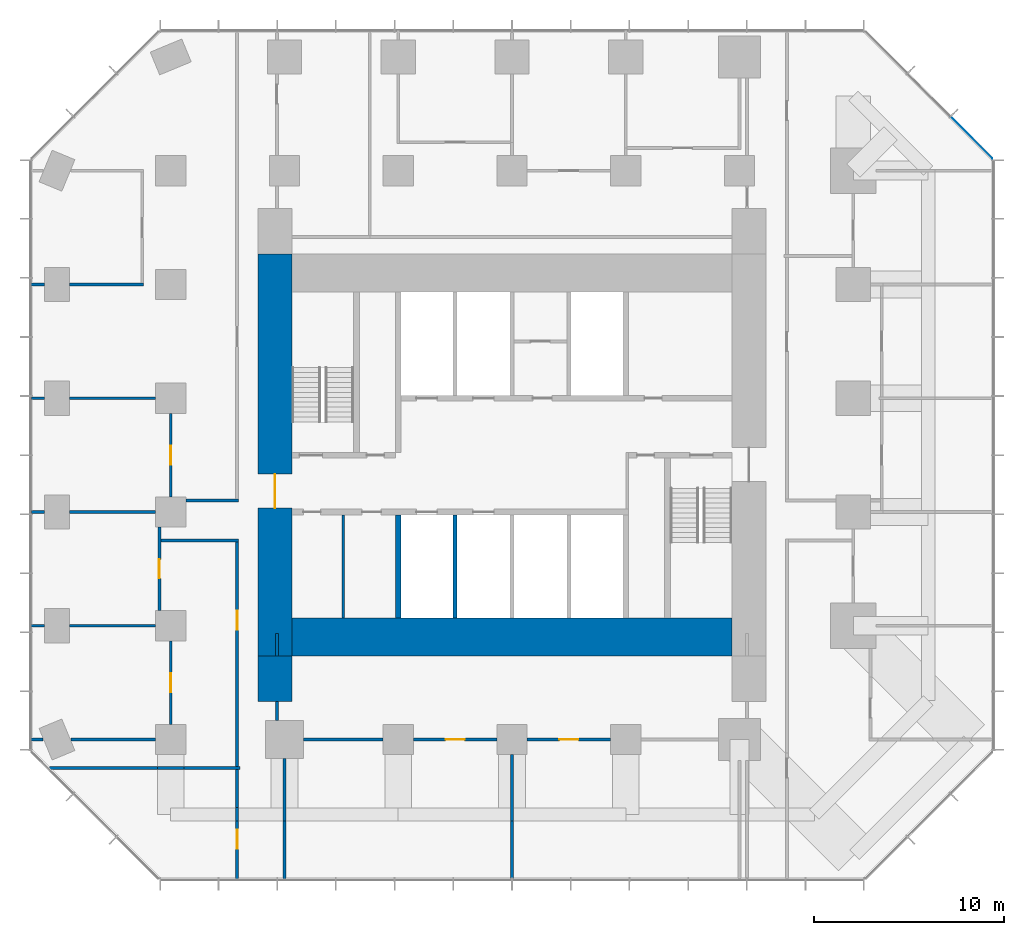
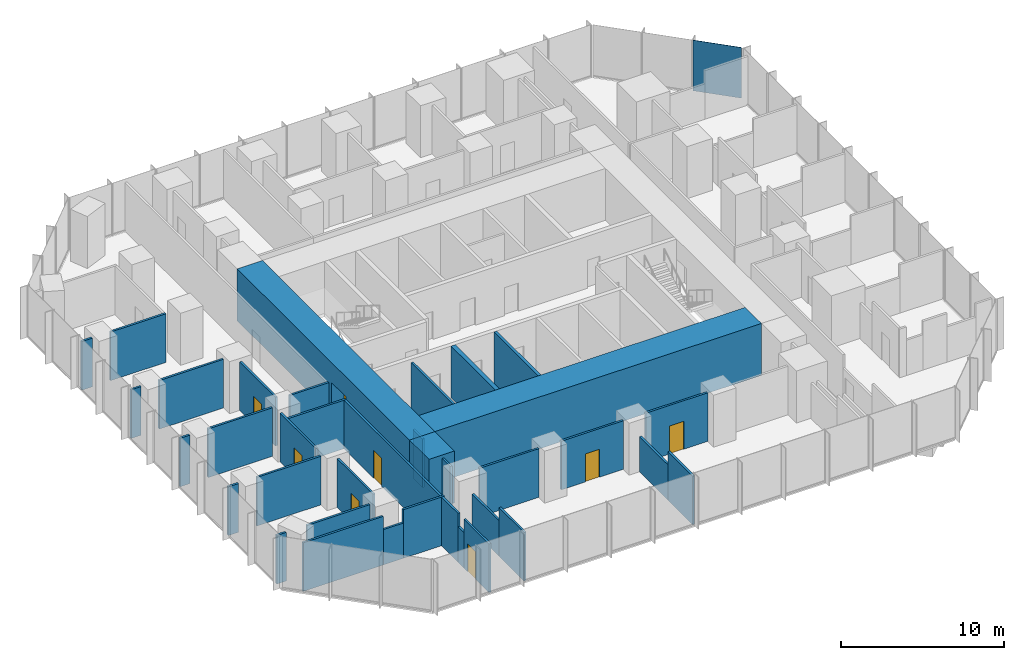
# One storey, part 8 of 12: 37 walls, 8 doors, 1 plate, 8 openings, 1 element without a shape of its own.
"""IFC4 building model written with IfcOpenShell, lengths in metres."""

from ifc_helpers import new_model, si_unit, direction, frame, frame_2d, origin, origin_2d, place, context, subcontext, project, spatial, rectangle, extrude, material, layer, layer_set, type_object, element, fill, aggregate, save


model = new_model("IFC4")

# Units and contexts
model_context = context("Model", 3, precision=1e-05, world=origin(), true_north=direction((0.0, 1.0)))
body_context = subcontext(model_context, "Body", "Model", "MODEL_VIEW")
ifc_project = project(units=[si_unit("LENGTHUNIT", "METRE"), si_unit("AREAUNIT", "SQUARE_METRE"), si_unit("VOLUMEUNIT", "CUBIC_METRE"), si_unit("PLANEANGLEUNIT", "RADIAN"), si_unit("MASSUNIT", "GRAM", prefix="KILO")], contexts=[model_context])

# Site, building, storey
site_placement = place(None, origin())
site = spatial("IfcSite", under=ifc_project, at=site_placement, CompositionType="ELEMENT")
building_placement = place(site_placement, origin())
building = spatial("IfcBuilding", under=site, at=building_placement, Name="Highveld Stack Headquarters", CompositionType="ELEMENT")
storey_placement = place(building_placement, frame((0.0, 0.0, 156.199951171875)))
storey = spatial("IfcBuildingStorey", under=building, at=storey_placement, Name="L38", CompositionType="ELEMENT", Elevation=156.199951171875)

# Curtain wall, plate
ifc_material_1 = material(Name="Aluminium bronze anodised", Category="aluminium")
ifc_layer_1 = layer(ifc_material_1, 0.199951171875)
ifc_layer_set_1 = layer_set([ifc_layer_1], Name="Aluminium bronze anodised")
curtain_wall_type = type_object("IfcCurtainWallType", Name="CW2 TOWER CHAMFER UNITISED CURTAIN WALL", PredefinedType="NOTDEFINED", material=ifc_layer_set_1)
curtain_wall_placement = place(storey_placement, origin())
curtain_wall = element("IfcCurtainWall", 1, at=curtain_wall_placement, inside=storey, type_object=curtain_wall_type, Name="Curtain wall CW2 L38 NE", PredefinedType="NOTDEFINED")
ifc_material_2 = material(Name="Glass bronze tinted double glazed unit", Category="glass")
ifc_layer_2 = layer(ifc_material_2, 0.028076171875)
ifc_layer_set_2 = layer_set([ifc_layer_2], Name="Glass bronze tinted double glazed unit")
plate_type = type_object("IfcPlateType", Name="CW2 PANEL BRONZE TINTED DOUBLE GLAZED UNIT", PredefinedType="CURTAIN_PANEL", material=ifc_layer_set_2)
plate_placement = place(storey_placement, frame((30.239501953125, 19.740478515625, 0.10009765625), z_axis=(0.0, 0.0, 1.0), x_axis=(-0.707106781187, 0.707106781187, 0.0)))
plate = element("IfcPlate", 2, at=plate_placement, type_object=plate_type, Name="CW2 panel L38 1.1", PredefinedType="CURTAIN_PANEL", context=body_context, shape_type="SweptSolid", body=[
    extrude(rectangle(XDim=3.08251953125, YDim=0.028076171875, at=origin_2d()), origin(), (0.0, 0.0, 1.0), 3.800048828125),
])
aggregate(curtain_wall, [plate])

# Wall, opening, door
ifc_material_3 = material(Name="Concrete C60/75", Category="concrete")
ifc_layer_3 = layer(ifc_material_3, 1.800048828125)
ifc_layer_set_3 = layer_set([ifc_layer_3], Name="Concrete C60/75")
wall_type_1 = type_object("IfcWallType", Name="CORE WALL 1800 C60/75", PredefinedType="SHEAR", material=ifc_layer_set_3)
wall_1_placement = place(storey_placement, frame((-6.5, -7.60009765625, 0.0), z_axis=(0.0, 0.0, 1.0), x_axis=(0.0, 1.0, 0.0)))
wall_1 = element("IfcWall", 3, at=wall_1_placement, inside=storey, type_object=wall_type_1, Name="Core wall W L38", PredefinedType="SHEAR", context=body_context, shape_type="SweptSolid", body=[
    extrude(rectangle(XDim=21.2001953125, YDim=1.800048828125, at=frame_2d((10.60009765625, 0.0))), origin(), (0.0, 0.0, 1.0), 3.900146484375),
])
opening_1_placement = place(wall_1_placement, frame((7.800048828125, 0.0, 0.0)))
opening_1 = element("IfcOpeningElement", 4, at=opening_1_placement, cuts=wall_1, Name="Opening L38-01", PredefinedType="OPENING", context=body_context, shape_type="SweptSolid", body=[
    extrude(rectangle(XDim=1.800048828125, YDim=2.39990234375, at=frame_2d((0.89990234375, 1.199951171875))), frame((0.0, 0.909912109375, 0.0), z_axis=(0.0, -1.0, 0.0), x_axis=(1.0, 0.0, 0.0)), (0.0, 0.0, 1.0), 1.820068359375),
])
ifc_material_4 = material(Name="Steel fire door", Category="steel")
door_type_1 = type_object("IfcDoorType", Name="LOBBY FIRE DOOR D4 1800x2400", OperationType="DOUBLE_DOOR_SINGLE_SWING", PredefinedType="DOOR", material=ifc_material_4)
door_1_placement = place(opening_1_placement, origin())
door_1 = element("IfcDoor", 5, at=door_1_placement, inside=storey, type_object=door_type_1, Name="Core west door L38", OperationType="DOUBLE_DOOR_SINGLE_SWING", OverallHeight=2.39990234375, OverallWidth=1.800048828125, PredefinedType="DOOR", context=body_context, shape_type="SweptSolid", body=[
    extrude(rectangle(XDim=1.800048828125, YDim=2.39990234375, at=frame_2d((0.89990234375, 1.199951171875))), frame((0.0, 0.02490234375, 0.0), z_axis=(0.0, -1.0, 0.0), x_axis=(1.0, 0.0, 0.0)), (0.0, 0.0, 1.0), 0.050048828125),
])
fill(opening_1, door_1)

# Walls
ifc_material_5 = material(Name="Concrete C60/75", Category="concrete")
ifc_layer_4 = layer(ifc_material_5, 2.0)
ifc_layer_set_4 = layer_set([ifc_layer_4], Name="Concrete C60/75")
wall_type_2 = type_object("IfcWallType", Name="CORE WALL 2000 C60/75", PredefinedType="SHEAR", material=ifc_layer_set_4)
wall_2_placement = place(storey_placement, frame((-5.60009765625, -6.60009765625, 0.0), z_axis=(0.0, 0.0, 1.0), x_axis=(1.0, 0.0, 0.0)))
element("IfcWall", 6, at=wall_2_placement, inside=storey, type_object=wall_type_2, Name="Core wall S L38", PredefinedType="SHEAR", context=body_context, shape_type="SweptSolid", body=[
    extrude(rectangle(XDim=23.2001953125, YDim=2.0, at=frame_2d((11.60009765625, 0.0))), origin(), (0.0, 0.0, 1.0), 3.900146484375),
])
ifc_material_6 = material(Name="Concrete C60/75", Category="concrete")
ifc_layer_5 = layer(ifc_material_6, 0.300048828125)
ifc_layer_set_5 = layer_set([ifc_layer_5], Name="Concrete C60/75")
wall_type_3 = type_object("IfcWallType", Name="CORE WALL 300 C60/75", PredefinedType="SHEAR", material=ifc_layer_set_5)
wall_3_placement = place(storey_placement, frame((0.0, -5.60009765625, 0.0), z_axis=(0.0, 0.0, 1.0), x_axis=(0.0, 1.0, 0.0)))
element("IfcWall", 7, at=wall_3_placement, inside=storey, type_object=wall_type_3, Name="Core wall I-X0S L38", PredefinedType="SHEAR", context=body_context, shape_type="SweptSolid", body=[
    extrude(rectangle(XDim=5.4501953125, YDim=0.300048828125, at=frame_2d((2.72509765625, 0.0))), origin(), (0.0, 0.0, 1.0), 3.900146484375),
])
ifc_material_7 = material(Name="Concrete C60/75", Category="concrete")
ifc_layer_6 = layer(ifc_material_7, 1.800048828125)
ifc_layer_set_6 = layer_set([ifc_layer_6], Name="Concrete C60/75")
wall_type_4 = type_object("IfcWallType", Name="CORE WING WALL 1800 C60/75", PredefinedType="SHEAR", material=ifc_layer_set_6)
wall_4_placement = place(storey_placement, frame((-6.5, -10.0, 0.0), z_axis=(0.0, 0.0, 1.0), x_axis=(0.0, 1.0, 0.0)))
element("IfcWall", 8, at=wall_4_placement, inside=storey, type_object=wall_type_4, Name="Core wing wall WS L38", PredefinedType="SHEAR", context=body_context, shape_type="SweptSolid", body=[
    extrude(rectangle(XDim=2.39990234375, YDim=1.800048828125, at=frame_2d((1.199951171875, 0.0))), origin(), (0.0, 0.0, 1.0), 3.900146484375),
])

# Wall, opening, door
ifc_material_8 = material(Name="Laminated glass in aluminium frame", Category="aluminium")
ifc_layer_7 = layer(ifc_material_8, 0.14990234375)
ifc_layer_set_7 = layer_set([ifc_layer_7], Name="Laminated glass in aluminium frame")
wall_type_5 = type_object("IfcWallType", Name="GLAZED PARTITION 150", PredefinedType="PARTITIONING", material=ifc_layer_set_7)
wall_5_placement = place(storey_placement, frame((-12.60009765625, -5.199951171875, 0.0), z_axis=(0.0, 0.0, 1.0), x_axis=(0.0, 1.0, 0.0)))
wall_5 = element("IfcWall", 9, at=wall_5_placement, inside=storey, type_object=wall_type_5, Name="Glazed partition Video conference room L38", PredefinedType="PARTITIONING", context=body_context, shape_type="SweptSolid", body=[
    extrude(rectangle(XDim=4.39990234375, YDim=0.14990234375, at=frame_2d((2.199951171875, 0.0))), origin(), (0.0, 0.0, 1.0), 3.650146484375),
])
opening_2_placement = place(wall_5_placement, frame((1.699951171875, 0.0, 0.0)))
opening_2 = element("IfcOpeningElement", 10, at=opening_2_placement, cuts=wall_5, Name="Opening L38-15", PredefinedType="OPENING", context=body_context, shape_type="SweptSolid", body=[
    extrude(rectangle(XDim=1.0, YDim=2.10009765625, at=frame_2d((0.5, 1.050048828125))), frame((0.0, 0.0849609375, 0.0), z_axis=(0.0, -1.0, 0.0), x_axis=(1.0, 0.0, 0.0)), (0.0, 0.0, 1.0), 0.169921875),
])
ifc_material_9 = material(Name="Timber door, oiled ash", Category="wood")
door_type_2 = type_object("IfcDoorType", Name="ROOM DOOR D6 1000x2100", OperationType="SINGLE_SWING_LEFT", PredefinedType="DOOR", material=ifc_material_9)
door_2_placement = place(opening_2_placement, origin())
door_2 = element("IfcDoor", 11, at=door_2_placement, inside=storey, type_object=door_type_2, Name="Video conference room door 1 L38", OperationType="SINGLE_SWING_LEFT", OverallHeight=2.10009765625, OverallWidth=1.0, PredefinedType="DOOR", context=body_context, shape_type="SweptSolid", body=[
    extrude(rectangle(XDim=1.0, YDim=2.10009765625, at=frame_2d((0.5, 1.050048828125))), frame((0.0, 0.02490234375, 0.0), z_axis=(0.0, -1.0, 0.0), x_axis=(1.0, 0.0, 0.0)), (0.0, 0.0, 1.0), 0.050048828125),
])
fill(opening_2, door_2)

wall_6_placement = place(storey_placement, frame((-12.0, -11.199951171875, 0.0), z_axis=(0.0, 0.0, 1.0), x_axis=(0.0, 1.0, 0.0)))
wall_6 = element("IfcWall", 12, at=wall_6_placement, inside=storey, type_object=wall_type_5, Name="Glazed partition Meeting room L38", PredefinedType="PARTITIONING", context=body_context, shape_type="SweptSolid", body=[
    extrude(rectangle(XDim=4.39990234375, YDim=0.14990234375, at=frame_2d((2.199951171875, 0.0))), origin(), (0.0, 0.0, 1.0), 3.650146484375),
])
opening_3_placement = place(wall_6_placement, frame((1.699951171875, 0.0, 0.0)))
opening_3 = element("IfcOpeningElement", 13, at=opening_3_placement, cuts=wall_6, Name="Opening L38-14", PredefinedType="OPENING", context=body_context, shape_type="SweptSolid", body=[
    extrude(rectangle(XDim=1.0, YDim=2.10009765625, at=frame_2d((0.5, 1.050048828125))), frame((0.0, 0.0849609375, 0.0), z_axis=(0.0, -1.0, 0.0), x_axis=(1.0, 0.0, 0.0)), (0.0, 0.0, 1.0), 0.169921875),
])
door_3_placement = place(opening_3_placement, origin())
door_3 = element("IfcDoor", 14, at=door_3_placement, inside=storey, type_object=door_type_2, Name="Meeting room door 1 L38", OperationType="SINGLE_SWING_RIGHT", OverallHeight=2.10009765625, OverallWidth=1.0, PredefinedType="DOOR", context=body_context, shape_type="SweptSolid", body=[
    extrude(rectangle(XDim=1.0, YDim=2.10009765625, at=frame_2d((0.5, 1.050048828125))), frame((0.0, 0.02490234375, 0.0), z_axis=(0.0, -1.0, 0.0), x_axis=(1.0, 0.0, 0.0)), (0.0, 0.0, 1.0), 0.050048828125),
])
fill(opening_3, door_3)

wall_7_placement = place(storey_placement, frame((-12.0, 0.800048828125, 0.0), z_axis=(0.0, 0.0, 1.0), x_axis=(0.0, 1.0, 0.0)))
wall_7 = element("IfcWall", 15, at=wall_7_placement, inside=storey, type_object=wall_type_5, Name="Glazed partition Meeting room L38", PredefinedType="PARTITIONING", context=body_context, shape_type="SweptSolid", body=[
    extrude(rectangle(XDim=4.39990234375, YDim=0.14990234375, at=frame_2d((2.199951171875, 0.0))), origin(), (0.0, 0.0, 1.0), 3.650146484375),
])
opening_4_placement = place(wall_7_placement, frame((1.699951171875, 0.0, 0.0)))
opening_4 = element("IfcOpeningElement", 16, at=opening_4_placement, cuts=wall_7, Name="Opening L38-16", PredefinedType="OPENING", context=body_context, shape_type="SweptSolid", body=[
    extrude(rectangle(XDim=1.0, YDim=2.10009765625, at=frame_2d((0.5, 1.050048828125))), frame((0.0, 0.0849609375, 0.0), z_axis=(0.0, -1.0, 0.0), x_axis=(1.0, 0.0, 0.0)), (0.0, 0.0, 1.0), 0.169921875),
])
door_4_placement = place(opening_4_placement, origin())
door_4 = element("IfcDoor", 17, at=door_4_placement, inside=storey, type_object=door_type_2, Name="Meeting room door 1 L38", OperationType="SINGLE_SWING_RIGHT", OverallHeight=2.10009765625, OverallWidth=1.0, PredefinedType="DOOR", context=body_context, shape_type="SweptSolid", body=[
    extrude(rectangle(XDim=1.0, YDim=2.10009765625, at=frame_2d((0.5, 1.050048828125))), frame((0.0, 0.02490234375, 0.0), z_axis=(0.0, -1.0, 0.0), x_axis=(1.0, 0.0, 0.0)), (0.0, 0.0, 1.0), 0.050048828125),
])
fill(opening_4, door_4)

# Walls
ifc_material_10 = material(Name="Concrete blockwork, fair-faced", Category="masonry")
ifc_layer_8 = layer(ifc_material_10, 0.199951171875)
ifc_layer_set_8 = layer_set([ifc_layer_8], Name="Concrete blockwork, fair-faced")
wall_type_6 = type_object("IfcWallType", Name="LIFT SHAFT ENCLOSURE WALL 200 BLOCKWORK", PredefinedType="SOLIDWALL", material=ifc_layer_set_8)
wall_8_placement = place(storey_placement, frame((3.0, -5.60009765625, 0.0), z_axis=(0.0, 0.0, 1.0), x_axis=(0.0, 1.0, 0.0)))
element("IfcWall", 18, at=wall_8_placement, inside=storey, type_object=wall_type_6, Name="Lift shaft wall L38", PredefinedType="SOLIDWALL", context=body_context, shape_type="SweptSolid", body=[
    extrude(rectangle(XDim=5.4501953125, YDim=0.199951171875, at=frame_2d((2.72509765625, 0.0))), origin(), (0.0, 0.0, 1.0), 3.900146484375),
])
ifc_material_11 = material(Name="Gypsum plasterboard on steel studs", Category="steel")
ifc_layer_9 = layer(ifc_material_11, 0.14990234375)
ifc_layer_set_9 = layer_set([ifc_layer_9], Name="Gypsum plasterboard on steel studs")
wall_type_7 = type_object("IfcWallType", Name="PARTITION 150 PLASTERBOARD", PredefinedType="PARTITIONING", material=ifc_layer_set_9)
wall_9_placement = place(storey_placement, frame((-19.39990234375, -12.0, 0.0), z_axis=(0.0, 0.0, 1.0), x_axis=(1.0, 0.0, 0.0)))
element("IfcWall", 19, at=wall_9_placement, inside=storey, type_object=wall_type_7, Name="Partition Meeting room L38", PredefinedType="PARTITIONING", context=body_context, shape_type="SweptSolid", body=[
    extrude(rectangle(XDim=0.665283203125, YDim=0.14990234375, at=frame_2d((0.33251953125, 0.0))), origin(), (0.0, 0.0, 1.0), 3.650146484375),
])
wall_10_placement = place(storey_placement, frame((-17.265380859375, -12.0, 0.0), z_axis=(0.0, 0.0, 1.0), x_axis=(1.0, 0.0, 0.0)))
element("IfcWall", 20, at=wall_10_placement, inside=storey, type_object=wall_type_7, Name="Partition Meeting room L38", PredefinedType="PARTITIONING", context=body_context, shape_type="SweptSolid", body=[
    extrude(rectangle(XDim=4.46533203125, YDim=0.14990234375, at=frame_2d((2.232666015625, 0.0))), origin(), (0.0, 0.0, 1.0), 3.650146484375),
])
wall_11_placement = place(storey_placement, frame((-5.0, -12.0, 0.0), z_axis=(0.0, 0.0, 1.0), x_axis=(1.0, 0.0, 0.0)))
element("IfcWall", 21, at=wall_11_placement, inside=storey, type_object=wall_type_7, Name="Partition Team office L38", PredefinedType="PARTITIONING", context=body_context, shape_type="SweptSolid", body=[
    extrude(rectangle(XDim=4.199951171875, YDim=0.14990234375, at=frame_2d((2.10009765625, 0.0))), origin(), (0.0, 0.0, 1.0), 3.650146484375),
])

# Wall, opening, door
wall_12_placement = place(storey_placement, frame((0.800048828125, -12.0, 0.0), z_axis=(0.0, 0.0, 1.0), x_axis=(1.0, 0.0, 0.0)))
wall_12 = element("IfcWall", 22, at=wall_12_placement, inside=storey, type_object=wall_type_7, Name="Partition Team office L38", PredefinedType="PARTITIONING", context=body_context, shape_type="SweptSolid", body=[
    extrude(rectangle(XDim=4.39990234375, YDim=0.14990234375, at=frame_2d((2.199951171875, 0.0))), origin(), (0.0, 0.0, 1.0), 3.650146484375),
])
opening_5_placement = place(wall_12_placement, frame((1.699951171875, 0.0, 0.0)))
opening_5 = element("IfcOpeningElement", 23, at=opening_5_placement, cuts=wall_12, Name="Opening L38-12", PredefinedType="OPENING", context=body_context, shape_type="SweptSolid", body=[
    extrude(rectangle(XDim=1.0, YDim=2.10009765625, at=frame_2d((0.5, 1.050048828125))), frame((0.0, 0.0849609375, 0.0), z_axis=(0.0, -1.0, 0.0), x_axis=(1.0, 0.0, 0.0)), (0.0, 0.0, 1.0), 0.169921875),
])
door_5_placement = place(opening_5_placement, origin())
door_5 = element("IfcDoor", 24, at=door_5_placement, inside=storey, type_object=door_type_2, Name="Team office door 1 L38", OperationType="SINGLE_SWING_LEFT", OverallHeight=2.10009765625, OverallWidth=1.0, PredefinedType="DOOR", context=body_context, shape_type="SweptSolid", body=[
    extrude(rectangle(XDim=1.0, YDim=2.10009765625, at=frame_2d((0.5, 1.050048828125))), frame((0.0, 0.02490234375, 0.0), z_axis=(0.0, -1.0, 0.0), x_axis=(1.0, 0.0, 0.0)), (0.0, 0.0, 1.0), 0.050048828125),
])
fill(opening_5, door_5)

wall_13_placement = place(storey_placement, frame((6.800048828125, -12.0, 0.0), z_axis=(0.0, 0.0, 1.0), x_axis=(1.0, 0.0, 0.0)))
wall_13 = element("IfcWall", 25, at=wall_13_placement, inside=storey, type_object=wall_type_7, Name="Partition Team office L38", PredefinedType="PARTITIONING", context=body_context, shape_type="SweptSolid", body=[
    extrude(rectangle(XDim=4.39990234375, YDim=0.14990234375, at=frame_2d((2.199951171875, 0.0))), origin(), (0.0, 0.0, 1.0), 3.650146484375),
])
opening_6_placement = place(wall_13_placement, frame((1.699951171875, 0.0, 0.0)))
opening_6 = element("IfcOpeningElement", 26, at=opening_6_placement, cuts=wall_13, Name="Opening L38-13", PredefinedType="OPENING", context=body_context, shape_type="SweptSolid", body=[
    extrude(rectangle(XDim=1.0, YDim=2.10009765625, at=frame_2d((0.5, 1.050048828125))), frame((0.0, 0.0849609375, 0.0), z_axis=(0.0, -1.0, 0.0), x_axis=(1.0, 0.0, 0.0)), (0.0, 0.0, 1.0), 0.169921875),
])
door_6_placement = place(opening_6_placement, origin())
door_6 = element("IfcDoor", 27, at=door_6_placement, inside=storey, type_object=door_type_2, Name="Team office door 1 L38", OperationType="SINGLE_SWING_RIGHT", OverallHeight=2.10009765625, OverallWidth=1.0, PredefinedType="DOOR", context=body_context, shape_type="SweptSolid", body=[
    extrude(rectangle(XDim=1.0, YDim=2.10009765625, at=frame_2d((0.5, 1.050048828125))), frame((0.0, 0.02490234375, 0.0), z_axis=(0.0, -1.0, 0.0), x_axis=(1.0, 0.0, 0.0)), (0.0, 0.0, 1.0), 0.050048828125),
])
fill(opening_6, door_6)

# Walls
wall_14_placement = place(storey_placement, frame((-19.39990234375, -6.0, 0.0), z_axis=(0.0, 0.0, 1.0), x_axis=(1.0, 0.0, 0.0)))
element("IfcWall", 28, at=wall_14_placement, inside=storey, type_object=wall_type_7, Name="Partition Meeting room / Video conference room L38", PredefinedType="PARTITIONING", context=body_context, shape_type="SweptSolid", body=[
    extrude(rectangle(XDim=0.75, YDim=0.14990234375, at=frame_2d((0.375, 0.0))), origin(), (0.0, 0.0, 1.0), 3.650146484375),
])
wall_15_placement = place(storey_placement, frame((-17.35009765625, -6.0, 0.0), z_axis=(0.0, 0.0, 1.0), x_axis=(1.0, 0.0, 0.0)))
element("IfcWall", 29, at=wall_15_placement, inside=storey, type_object=wall_type_7, Name="Partition Meeting room / Video conference room L38", PredefinedType="PARTITIONING", context=body_context, shape_type="SweptSolid", body=[
    extrude(rectangle(XDim=4.550048828125, YDim=0.14990234375, at=frame_2d((2.27490234375, 0.0))), origin(), (0.0, 0.0, 1.0), 3.650146484375),
])
wall_16_placement = place(storey_placement, frame((-19.35009765625, 0.0, 0.0), z_axis=(0.0, 0.0, 1.0), x_axis=(1.0, 0.0, 0.0)))
element("IfcWall", 30, at=wall_16_placement, inside=storey, type_object=wall_type_7, Name="Partition Meeting room / Video conference room L38", PredefinedType="PARTITIONING", context=body_context, shape_type="SweptSolid", body=[
    extrude(rectangle(XDim=0.7001953125, YDim=0.14990234375, at=frame_2d((0.35009765625, 0.0))), origin(), (0.0, 0.0, 1.0), 3.650146484375),
])
wall_17_placement = place(storey_placement, frame((-17.35009765625, 0.0, 0.0), z_axis=(0.0, 0.0, 1.0), x_axis=(1.0, 0.0, 0.0)))
element("IfcWall", 31, at=wall_17_placement, inside=storey, type_object=wall_type_7, Name="Partition Meeting room / Video conference room L38", PredefinedType="PARTITIONING", context=body_context, shape_type="SweptSolid", body=[
    extrude(rectangle(XDim=4.550048828125, YDim=0.14990234375, at=frame_2d((2.27490234375, 0.0))), origin(), (0.0, 0.0, 1.0), 3.650146484375),
])
wall_18_placement = place(storey_placement, frame((-19.35009765625, 6.0, 0.0), z_axis=(0.0, 0.0, 1.0), x_axis=(1.0, 0.0, 0.0)))
element("IfcWall", 32, at=wall_18_placement, inside=storey, type_object=wall_type_7, Name="Partition Meeting room L38", PredefinedType="PARTITIONING", context=body_context, shape_type="SweptSolid", body=[
    extrude(rectangle(XDim=0.7001953125, YDim=0.14990234375, at=frame_2d((0.35009765625, 0.0))), origin(), (0.0, 0.0, 1.0), 3.650146484375),
])
wall_19_placement = place(storey_placement, frame((-17.35009765625, 6.0, 0.0), z_axis=(0.0, 0.0, 1.0), x_axis=(1.0, 0.0, 0.0)))
element("IfcWall", 33, at=wall_19_placement, inside=storey, type_object=wall_type_7, Name="Partition Meeting room L38", PredefinedType="PARTITIONING", context=body_context, shape_type="SweptSolid", body=[
    extrude(rectangle(XDim=4.550048828125, YDim=0.14990234375, at=frame_2d((2.27490234375, 0.0))), origin(), (0.0, 0.0, 1.0), 3.650146484375),
])
wall_20_placement = place(storey_placement, frame((-19.39990234375, 12.0, 0.0), z_axis=(0.0, 0.0, 1.0), x_axis=(1.0, 0.0, 0.0)))
element("IfcWall", 34, at=wall_20_placement, inside=storey, type_object=wall_type_7, Name="Partition Quiet room L38", PredefinedType="PARTITIONING", context=body_context, shape_type="SweptSolid", body=[
    extrude(rectangle(XDim=0.75, YDim=0.14990234375, at=frame_2d((0.375, 0.0))), origin(), (0.0, 0.0, 1.0), 3.650146484375),
])
wall_21_placement = place(storey_placement, frame((-17.35009765625, 12.0, 0.0), z_axis=(0.0, 0.0, 1.0), x_axis=(1.0, 0.0, 0.0)))
element("IfcWall", 35, at=wall_21_placement, inside=storey, type_object=wall_type_7, Name="Partition Quiet room L38", PredefinedType="PARTITIONING", context=body_context, shape_type="SweptSolid", body=[
    extrude(rectangle(XDim=3.925048828125, YDim=0.14990234375, at=frame_2d((1.96240234375, 0.0))), origin(), (0.0, 0.0, 1.0), 3.650146484375),
])
wall_22_placement = place(storey_placement, frame((-6.0, -19.39990234375, 0.0), z_axis=(0.0, 0.0, 1.0), x_axis=(0.0, 1.0, 0.0)))
element("IfcWall", 36, at=wall_22_placement, inside=storey, type_object=wall_type_7, Name="Partition Team office L38", PredefinedType="PARTITIONING", context=body_context, shape_type="SweptSolid", body=[
    extrude(rectangle(XDim=3.08984375, YDim=0.14990234375, at=frame_2d((1.544921875, 0.0))), origin(), (0.0, 0.0, 1.0), 3.650146484375),
])
wall_23_placement = place(storey_placement, frame((-6.0, -16.31005859375, 0.0), z_axis=(0.0, 0.0, 1.0), x_axis=(0.0, 1.0, 0.0)))
element("IfcWall", 37, at=wall_23_placement, inside=storey, type_object=wall_type_7, Name="Partition Team office L38", PredefinedType="PARTITIONING", context=body_context, shape_type="SweptSolid", body=[
    extrude(rectangle(XDim=3.31005859375, YDim=0.14990234375, at=frame_2d((1.655029296875, 0.0))), origin(), (0.0, 0.0, 1.0), 2.650146484375),
])
wall_24_placement = place(storey_placement, frame((6.0, -19.35009765625, 0.0), z_axis=(0.0, 0.0, 1.0), x_axis=(0.0, 1.0, 0.0)))
element("IfcWall", 38, at=wall_24_placement, inside=storey, type_object=wall_type_7, Name="Partition Team office L38", PredefinedType="PARTITIONING", context=body_context, shape_type="SweptSolid", body=[
    extrude(rectangle(XDim=3.0400390625, YDim=0.14990234375, at=frame_2d((1.52001953125, 0.0))), origin(), (0.0, 0.0, 1.0), 3.650146484375),
])
wall_25_placement = place(storey_placement, frame((6.0, -16.31005859375, 0.0), z_axis=(0.0, 0.0, 1.0), x_axis=(0.0, 1.0, 0.0)))
element("IfcWall", 39, at=wall_25_placement, inside=storey, type_object=wall_type_7, Name="Partition Team office L38", PredefinedType="PARTITIONING", context=body_context, shape_type="SweptSolid", body=[
    extrude(rectangle(XDim=3.510009765625, YDim=0.14990234375, at=frame_2d((1.7548828125, 0.0))), origin(), (0.0, 0.0, 1.0), 2.650146484375),
])
wall_26_placement = place(storey_placement, frame((-18.388916015625, -13.5, 0.0), z_axis=(0.0, 0.0, 1.0), x_axis=(1.0, 0.0, 0.0)))
element("IfcWall", 40, at=wall_26_placement, inside=storey, type_object=wall_type_7, Name="Partition office neighbourhood L38", PredefinedType="PARTITIONING", context=body_context, shape_type="SweptSolid", body=[
    extrude(rectangle(XDim=5.678955078125, YDim=0.14990234375, at=frame_2d((2.83935546875, 0.0))), origin(), (0.0, 0.0, 1.0), 3.650146484375),
])
wall_27_placement = place(storey_placement, frame((-12.7099609375, -13.5, 0.0), z_axis=(0.0, 0.0, 1.0), x_axis=(1.0, 0.0, 0.0)))
element("IfcWall", 41, at=wall_27_placement, inside=storey, type_object=wall_type_7, Name="Partition office neighbourhood L38", PredefinedType="PARTITIONING", context=body_context, shape_type="SweptSolid", body=[
    extrude(rectangle(XDim=1.419921875, YDim=0.14990234375, at=frame_2d((0.7099609375, 0.0))), origin(), (0.0, 0.0, 1.0), 2.650146484375),
])
wall_28_placement = place(storey_placement, frame((-11.2900390625, -13.5, 0.0), z_axis=(0.0, 0.0, 1.0), x_axis=(1.0, 0.0, 0.0)))
element("IfcWall", 42, at=wall_28_placement, inside=storey, type_object=wall_type_7, Name="Partition office neighbourhood L38", PredefinedType="PARTITIONING", context=body_context, shape_type="SweptSolid", body=[
    extrude(rectangle(XDim=2.93994140625, YDim=0.14990234375, at=frame_2d((1.469970703125, 0.0))), origin(), (0.0, 0.0, 1.0), 3.650146484375),
])
wall_29_placement = place(storey_placement, frame((-12.52490234375, -1.5, 0.0), z_axis=(0.0, 0.0, 1.0), x_axis=(1.0, 0.0, 0.0)))
element("IfcWall", 43, at=wall_29_placement, inside=storey, type_object=wall_type_7, Name="Partition office neighbourhood L38", PredefinedType="PARTITIONING", context=body_context, shape_type="SweptSolid", body=[
    extrude(rectangle(XDim=4.099853515625, YDim=0.14990234375, at=frame_2d((2.0498046875, 0.0))), origin(), (0.0, 0.0, 1.0), 3.650146484375),
])
wall_30_placement = place(storey_placement, frame((-11.199951171875, 0.60009765625, 0.0), z_axis=(0.0, 0.0, 1.0), x_axis=(1.0, 0.0, 0.0)))
element("IfcWall", 44, at=wall_30_placement, inside=storey, type_object=wall_type_7, Name="Partition office neighbourhood L38", PredefinedType="PARTITIONING", context=body_context, shape_type="SweptSolid", body=[
    extrude(rectangle(XDim=2.77490234375, YDim=0.14990234375, at=frame_2d((1.387451171875, 0.0))), origin(), (0.0, 0.0, 1.0), 3.650146484375),
])

# Wall, opening, door
wall_31_placement = place(storey_placement, frame((-8.5, -19.39990234375, 0.0), z_axis=(0.0, 0.0, 1.0), x_axis=(0.0, 1.0, 0.0)))
wall_31 = element("IfcWall", 45, at=wall_31_placement, inside=storey, type_object=wall_type_7, Name="Partition office neighbourhood L38", PredefinedType="PARTITIONING", context=body_context, shape_type="SweptSolid", body=[
    extrude(rectangle(XDim=3.08984375, YDim=0.14990234375, at=frame_2d((1.544921875, 0.0))), origin(), (0.0, 0.0, 1.0), 3.650146484375),
])
opening_7_placement = place(wall_31_placement, frame((1.6298828125, 0.0, 0.0)))
opening_7 = element("IfcOpeningElement", 46, at=opening_7_placement, cuts=wall_31, Name="Opening L38-26", PredefinedType="OPENING", context=body_context, shape_type="SweptSolid", body=[
    extrude(rectangle(XDim=1.0, YDim=2.10009765625, at=frame_2d((0.5, 1.050048828125))), frame((0.0, 0.0849609375, 0.0), z_axis=(0.0, -1.0, 0.0), x_axis=(1.0, 0.0, 0.0)), (0.0, 0.0, 1.0), 0.169921875),
])
door_7_placement = place(opening_7_placement, origin())
door_7 = element("IfcDoor", 47, at=door_7_placement, inside=storey, type_object=door_type_2, Name="Office neighbourhood door L38", OperationType="SINGLE_SWING_RIGHT", OverallHeight=2.10009765625, OverallWidth=1.0, PredefinedType="DOOR", context=body_context, shape_type="SweptSolid", body=[
    extrude(rectangle(XDim=1.0, YDim=2.10009765625, at=frame_2d((0.5, 1.050048828125))), frame((0.0, 0.02490234375, 0.0), z_axis=(0.0, -1.0, 0.0), x_axis=(1.0, 0.0, 0.0)), (0.0, 0.0, 1.0), 0.050048828125),
])
fill(opening_7, door_7)

# Walls
wall_32_placement = place(storey_placement, frame((-8.5, -16.31005859375, 0.0), z_axis=(0.0, 0.0, 1.0), x_axis=(0.0, 1.0, 0.0)))
element("IfcWall", 48, at=wall_32_placement, inside=storey, type_object=wall_type_7, Name="Partition office neighbourhood L38", PredefinedType="PARTITIONING", context=body_context, shape_type="SweptSolid", body=[
    extrude(rectangle(XDim=0.719970703125, YDim=0.14990234375, at=frame_2d((0.35986328125, 0.0))), origin(), (0.0, 0.0, 1.0), 2.650146484375),
])
wall_33_placement = place(storey_placement, frame((-8.5, -15.590087890625, 0.0), z_axis=(0.0, 0.0, 1.0), x_axis=(0.0, 1.0, 0.0)))
element("IfcWall", 49, at=wall_33_placement, inside=storey, type_object=wall_type_7, Name="Partition office neighbourhood L38", PredefinedType="PARTITIONING", context=body_context, shape_type="SweptSolid", body=[
    extrude(rectangle(XDim=2.01513671875, YDim=0.14990234375, at=frame_2d((1.007568359375, 0.0))), origin(), (0.0, 0.0, 1.0), 3.650146484375),
])

# Wall, opening, door
wall_34_placement = place(storey_placement, frame((-8.5, -13.425048828125, 0.0), z_axis=(0.0, 0.0, 1.0), x_axis=(0.0, 1.0, 0.0)))
wall_34 = element("IfcWall", 50, at=wall_34_placement, inside=storey, type_object=wall_type_7, Name="Partition office neighbourhood L38", PredefinedType="PARTITIONING", context=body_context, shape_type="SweptSolid", body=[
    extrude(rectangle(XDim=11.85009765625, YDim=0.14990234375, at=frame_2d((5.925048828125, 0.0))), origin(), (0.0, 0.0, 1.0), 3.650146484375),
])
opening_8_placement = place(wall_34_placement, frame((7.22509765625, 0.0, 0.0)))
opening_8 = element("IfcOpeningElement", 51, at=opening_8_placement, cuts=wall_34, Name="Opening L38-28", PredefinedType="OPENING", context=body_context, shape_type="SweptSolid", body=[
    extrude(rectangle(XDim=1.0, YDim=2.10009765625, at=frame_2d((0.5, 1.050048828125))), frame((0.0, 0.0849609375, 0.0), z_axis=(0.0, -1.0, 0.0), x_axis=(1.0, 0.0, 0.0)), (0.0, 0.0, 1.0), 0.169921875),
])
door_8_placement = place(opening_8_placement, origin())
door_8 = element("IfcDoor", 52, at=door_8_placement, inside=storey, type_object=door_type_2, Name="Office neighbourhood door L38", OperationType="SINGLE_SWING_RIGHT", OverallHeight=2.10009765625, OverallWidth=1.0, PredefinedType="DOOR", context=body_context, shape_type="SweptSolid", body=[
    extrude(rectangle(XDim=1.0, YDim=2.10009765625, at=frame_2d((0.5, 1.050048828125))), frame((0.0, 0.02490234375, 0.0), z_axis=(0.0, -1.0, 0.0), x_axis=(1.0, 0.0, 0.0)), (0.0, 0.0, 1.0), 0.050048828125),
])
fill(opening_8, door_8)

# Walls
wall_35_placement = place(storey_placement, frame((-6.39990234375, -11.0, 0.0), z_axis=(0.0, 0.0, 1.0), x_axis=(0.0, 1.0, 0.0)))
element("IfcWall", 53, at=wall_35_placement, inside=storey, type_object=wall_type_7, Name="Partition office neighbourhood L38", PredefinedType="PARTITIONING", context=body_context, shape_type="SweptSolid", body=[
    extrude(rectangle(XDim=1.0, YDim=0.14990234375, at=frame_2d((0.5, 0.0))), origin(), (0.0, 0.0, 1.0), 3.650146484375),
])
wall_36_placement = place(storey_placement, frame((-6.39990234375, -7.60009765625, 0.0), z_axis=(0.0, 0.0, 1.0), x_axis=(0.0, 1.0, 0.0)))
element("IfcWall", 54, at=wall_36_placement, inside=storey, type_object=wall_type_7, Name="Partition office neighbourhood L38", PredefinedType="PARTITIONING", context=body_context, shape_type="SweptSolid", body=[
    extrude(rectangle(XDim=1.2001953125, YDim=0.14990234375, at=frame_2d((0.60009765625, 0.0))), origin(), (0.0, 0.0, 1.0), 3.650146484375),
])
ifc_material_12 = material(Name="Concrete blockwork, tiled", Category="masonry")
ifc_layer_10 = layer(ifc_material_12, 0.14990234375)
ifc_layer_set_10 = layer_set([ifc_layer_10], Name="Concrete blockwork, tiled")
wall_type_8 = type_object("IfcWallType", Name="WC PARTITION 150", PredefinedType="PLUMBINGWALL", material=ifc_layer_set_10)
wall_37_placement = place(storey_placement, frame((-2.89990234375, -5.60009765625, 0.0), z_axis=(0.0, 0.0, 1.0), x_axis=(0.0, 1.0, 0.0)))
element("IfcWall", 55, at=wall_37_placement, inside=storey, type_object=wall_type_8, Name="Toilet partition L38", PredefinedType="PLUMBINGWALL", context=body_context, shape_type="SweptSolid", body=[
    extrude(rectangle(XDim=5.4501953125, YDim=0.14990234375, at=frame_2d((2.72509765625, 0.0))), origin(), (0.0, 0.0, 1.0), 3.650146484375),
])

save(model, "model.ifc")
